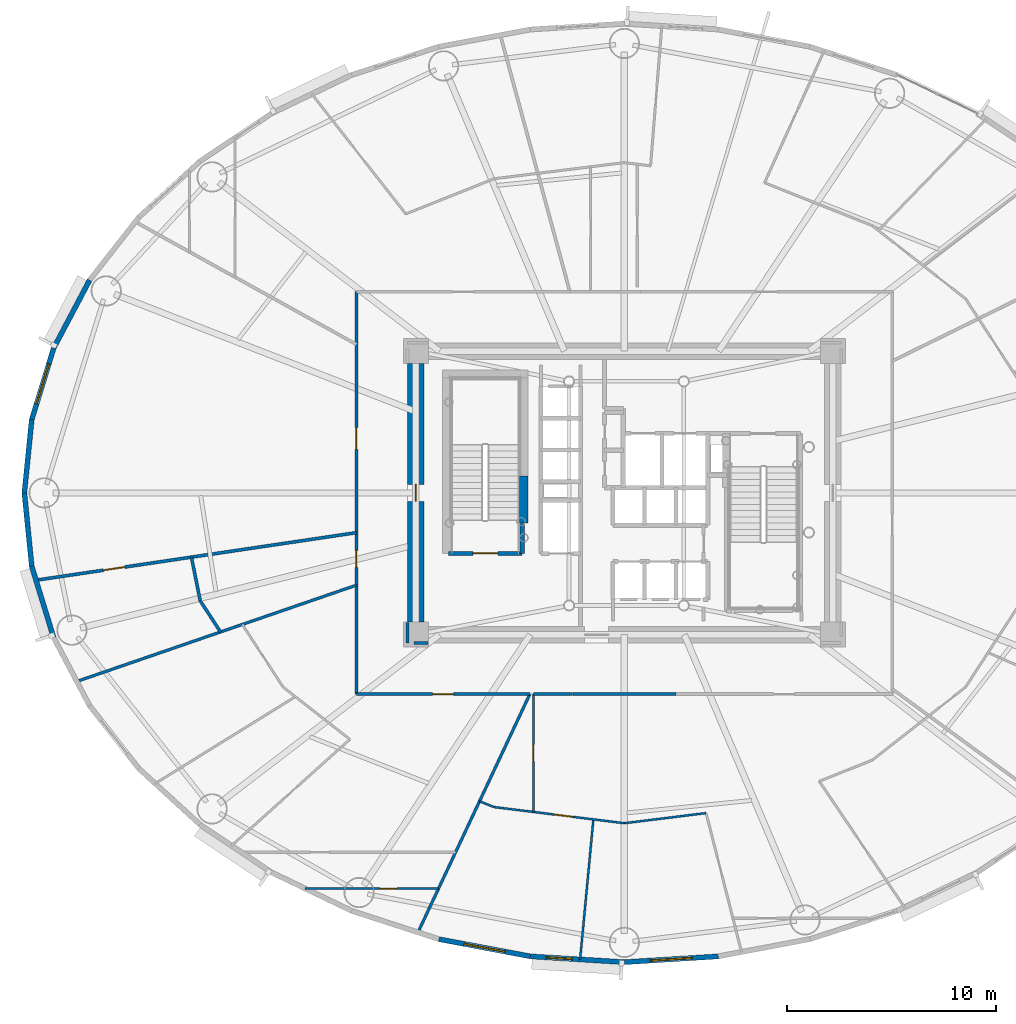
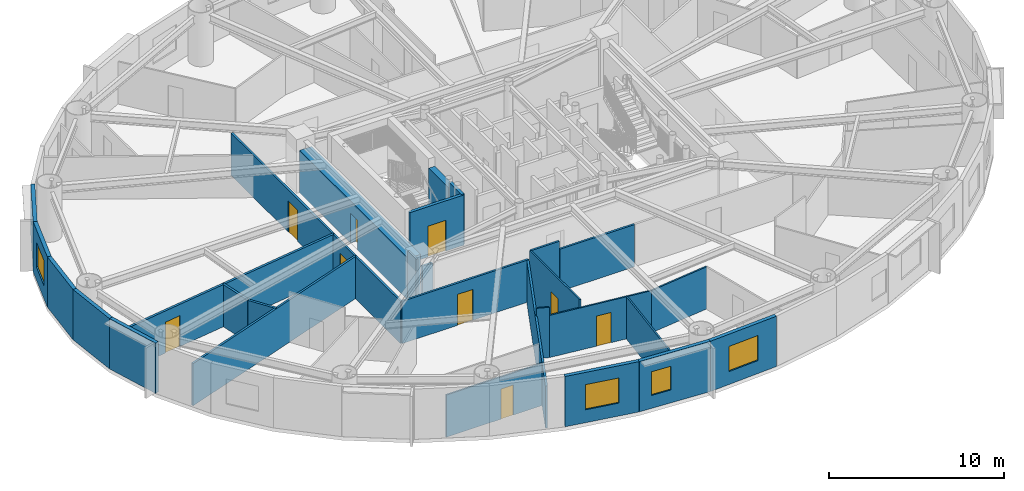
# One storey, part 7 of 16: 29 walls, 9 doors, 4 windows, 13 openings.
"""IFC4 building model written with IfcOpenShell, lengths in metres."""

from ifc_helpers import new_model, si_unit, direction, frame, frame_2d, origin, origin_2d, place, context, subcontext, project, spatial, rectangle, extrude, source, transform, mapped, material, layer, layer_set, type_object, element, fill, save


model = new_model("IFC4")

# Units and contexts
model_context = context("Model", 3, precision=1e-05, world=origin(), true_north=direction((0.0, 1.0)))
body_context = subcontext(model_context, "Body", "Model", "MODEL_VIEW")
ifc_project = project(units=[si_unit("LENGTHUNIT", "METRE"), si_unit("AREAUNIT", "SQUARE_METRE"), si_unit("VOLUMEUNIT", "CUBIC_METRE"), si_unit("PLANEANGLEUNIT", "RADIAN"), si_unit("MASSUNIT", "GRAM", prefix="KILO")], contexts=[model_context])

# Site, building, storey
site_placement = place(None, origin())
site = spatial("IfcSite", under=ifc_project, at=site_placement, CompositionType="ELEMENT")
building_placement = place(site_placement, origin())
building = spatial("IfcBuilding", under=site, at=building_placement, Name="Linh Dai School and Residence Tower", CompositionType="ELEMENT")
storey_placement = place(building_placement, frame((0.0, 0.0, 138.449951171875)))
storey = spatial("IfcBuildingStorey", under=building, at=storey_placement, Name="L33", CompositionType="ELEMENT", Elevation=138.449951171875)

# Wall
ifc_material_1 = material(Name="Precast Concrete B45 (C35/45)", Category="concrete")
ifc_layer_1 = layer(ifc_material_1, 0.239990234375)
ifc_layer_set_1 = layer_set([ifc_layer_1], Name="Precast Concrete B45 (C35/45)")
wall_type_1 = type_object("IfcWallType", Name="EW-TC-240", PredefinedType="SOLIDWALL", material=ifc_layer_set_1)
wall_1_placement = place(storey_placement, frame((8.6298828125, 33.945068359375, 0.0), z_axis=(0.0, 0.0, 1.0), x_axis=(0.467614004126, 0.883932770716, 0.0)))
element("IfcWall", 1, at=wall_1_placement, inside=storey, type_object=wall_type_1, Name="L33 Terracotta Exterior Wall 18", PredefinedType="SOLIDWALL", context=body_context, shape_type="SweptSolid", body=[
    extrude(rectangle(XDim=3.688720703125, YDim=0.239990234375, at=frame_2d((1.84423828125, 0.0))), origin(), (0.0, 0.0, 1.0), 3.5),
])

# Wall, opening, window
wall_2_placement = place(storey_placement, frame((7.578369140625, 30.515380859375, 0.0), z_axis=(0.0, 0.0, 1.0), x_axis=(0.293124431344, 0.956074300329, 0.0)))
wall_2 = element("IfcWall", 2, at=wall_2_placement, inside=storey, type_object=wall_type_1, Name="L33 Terracotta Exterior Wall 19", PredefinedType="SOLIDWALL", context=body_context, shape_type="SweptSolid", body=[
    extrude(rectangle(XDim=3.587158203125, YDim=0.239990234375, at=frame_2d((1.79345703125, 0.0))), origin(), (0.0, 0.0, 1.0), 3.5),
])
opening_1_placement = place(wall_2_placement, frame((0.793701171875, 0.0, 0.89990234375)))
opening_1 = element("IfcOpeningElement", 3, at=opening_1_placement, cuts=wall_2, Name="Opening W1", PredefinedType="OPENING", context=body_context, shape_type="SweptSolid", body=[
    extrude(rectangle(XDim=2.0, YDim=1.75, at=origin_2d()), frame((1.0, 0.1298828125, 0.875), z_axis=(0.0, -1.0, 0.0), x_axis=(1.0, 0.0, 0.0)), (0.0, 0.0, 1.0), 0.260009765625),
])
ifc_material_2 = material(Name="Double Low-E Insulated Glazing", Category="glass")
window_type_1 = type_object("IfcWindowType", Name="WN-RES-2000x1750", PartitioningType="DOUBLE_PANEL_VERTICAL", PredefinedType="WINDOW", material=ifc_material_2)
shared_shape_1 = source(origin(), body_context, "Body", "SweptSolid", [
    extrude(rectangle(XDim=2.0, YDim=1.75, at=origin_2d()), frame((1.0, 0.030029296875, 0.875), z_axis=(0.0, -1.0, 0.0), x_axis=(1.0, 0.0, 0.0)), (0.0, 0.0, 1.0), 0.06005859375),
])
window_1_placement = place(opening_1_placement, origin())
window_1 = element("IfcWindow", 4, at=window_1_placement, inside=storey, type_object=window_type_1, Name="L33 Exterior Window 19.1", OverallHeight=1.75, OverallWidth=2.0, PartitioningType="DOUBLE_PANEL_VERTICAL", PredefinedType="WINDOW", context=body_context, shape_type="MappedRepresentation", body=[
    mapped(shared_shape_1, transform((0.0, 0.0, 0.0), x_axis=(1.0, 0.0, 0.0), y_axis=(0.0, 1.0, 0.0), z_axis=(0.0, 0.0, 1.0), scale=1.0)),
])
fill(opening_1, window_1)

# Walls
for number, where, z_axis, x_axis, name in (
    (5, (7.22509765625, 27.0, 0.0), (0.0, 0.0, 1.0), (0.099989468229, 0.994988495533, 0.0), "L33 Terracotta Exterior Wall 20"),
    (6, (7.578369140625, 23.484619140625, 0.0), (0.0, 0.0, 1.0), (-0.099989468229, 0.994988495533, 0.0), "L33 Terracotta Exterior Wall 21"),
):
    element("IfcWall", number, at=place(storey_placement, frame(where, z_axis=z_axis, x_axis=x_axis)), inside=storey, type_object=wall_type_1, Name=name, PredefinedType="SOLIDWALL", context=body_context, shape_type="SweptSolid", body=[
        extrude(rectangle(XDim=3.533203125, YDim=0.239990234375, at=frame_2d((1.7666015625, 0.0))), origin(), (0.0, 0.0, 1.0), 3.5),
    ])
wall_3_placement = place(storey_placement, frame((8.6298828125, 20.054931640625, 0.0), z_axis=(0.0, 0.0, 1.0), x_axis=(-0.293124431344, 0.956074300329, 0.0)))
element("IfcWall", 7, at=wall_3_placement, inside=storey, type_object=wall_type_1, Name="L33 Terracotta Exterior Wall 22", PredefinedType="SOLIDWALL", context=body_context, shape_type="SweptSolid", body=[
    extrude(rectangle(XDim=3.587158203125, YDim=0.239990234375, at=frame_2d((1.79345703125, 0.0))), origin(), (0.0, 0.0, 1.0), 3.5),
])

# Wall, opening, window
wall_4_placement = place(storey_placement, frame((31.494384765625, 4.772705078125, 0.0), z_axis=(0.0, 0.0, 1.0), x_axis=(-0.982789252177, 0.184730305596, 0.0)))
wall_4 = element("IfcWall", 8, at=wall_4_placement, inside=storey, type_object=wall_type_1, Name="L33 Terracotta Exterior Wall 29", PredefinedType="SOLIDWALL", context=body_context, shape_type="SweptSolid", body=[
    extrude(rectangle(XDim=4.470947265625, YDim=0.239990234375, at=frame_2d((2.2353515625, 0.0))), origin(), (0.0, 0.0, 1.0), 3.5),
])
opening_2_placement = place(wall_4_placement, frame((1.235595703125, 0.0, 0.89990234375)))
opening_2 = element("IfcOpeningElement", 9, at=opening_2_placement, cuts=wall_4, Name="Opening W1", PredefinedType="OPENING", context=body_context, shape_type="SweptSolid", body=[
    extrude(rectangle(XDim=2.0, YDim=1.75, at=origin_2d()), frame((1.0, 0.1298828125, 0.875), z_axis=(0.0, -1.0, 0.0), x_axis=(1.0, 0.0, 0.0)), (0.0, 0.0, 1.0), 0.260009765625),
])
window_2_placement = place(opening_2_placement, origin())
window_2 = element("IfcWindow", 10, at=window_2_placement, inside=storey, type_object=window_type_1, Name="L33 Exterior Window 29.1", OverallHeight=1.75, OverallWidth=2.0, PartitioningType="DOUBLE_PANEL_VERTICAL", PredefinedType="WINDOW", context=body_context, shape_type="MappedRepresentation", body=[
    mapped(shared_shape_1, transform((0.0, 0.0, 0.0), x_axis=(1.0, 0.0, 0.0), y_axis=(0.0, 1.0, 0.0), z_axis=(0.0, 0.0, 1.0), scale=1.0)),
])
fill(opening_2, window_2)

wall_5_placement = place(storey_placement, frame((36.0, 4.4951171875, 0.0), z_axis=(0.0, 0.0, 1.0), x_axis=(-0.998107531589, 0.061492726276, 0.0)))
wall_5 = element("IfcWall", 11, at=wall_5_placement, inside=storey, type_object=wall_type_1, Name="L33 Terracotta Exterior Wall 30", PredefinedType="SOLIDWALL", context=body_context, shape_type="SweptSolid", body=[
    extrude(rectangle(XDim=4.51416015625, YDim=0.239990234375, at=frame_2d((2.257080078125, 0.0))), origin(), (0.0, 0.0, 1.0), 3.5),
])
opening_3_placement = place(wall_5_placement, frame((2.498779296875, 0.0, 0.89990234375)))
opening_3 = element("IfcOpeningElement", 12, at=opening_3_placement, cuts=wall_5, Name="Opening W3", PredefinedType="OPENING", context=body_context, shape_type="SweptSolid", body=[
    extrude(rectangle(XDim=1.25, YDim=1.64990234375, at=origin_2d()), frame((0.625, 0.1298828125, 0.824951171875), z_axis=(0.0, -1.0, 0.0), x_axis=(1.0, 0.0, 0.0)), (0.0, 0.0, 1.0), 0.260009765625),
])
window_type_2 = type_object("IfcWindowType", Name="WN-RES-1250x1650", PartitioningType="SINGLE_PANEL", PredefinedType="WINDOW", material=ifc_material_2)
shared_shape_2 = source(origin(), body_context, "Body", "SweptSolid", [
    extrude(rectangle(XDim=1.25, YDim=1.64990234375, at=origin_2d()), frame((0.625, 0.030029296875, 0.824951171875), z_axis=(0.0, -1.0, 0.0), x_axis=(1.0, 0.0, 0.0)), (0.0, 0.0, 1.0), 0.06005859375),
])
window_3_placement = place(opening_3_placement, origin())
window_3 = element("IfcWindow", 13, at=window_3_placement, inside=storey, type_object=window_type_2, Name="L33 Exterior Window 30.1", OverallHeight=1.64990234375, OverallWidth=1.25, PartitioningType="SINGLE_PANEL", PredefinedType="WINDOW", context=body_context, shape_type="MappedRepresentation", body=[
    mapped(shared_shape_2, transform((0.0, 0.0, 0.0), x_axis=(1.0, 0.0, 0.0), y_axis=(0.0, 1.0, 0.0), z_axis=(0.0, 0.0, 1.0), scale=1.0)),
])
fill(opening_3, window_3)

wall_6_placement = place(storey_placement, frame((40.505615234375, 4.772705078125, 0.0), z_axis=(0.0, 0.0, 1.0), x_axis=(-0.998107531589, -0.061492726276, 0.0)))
wall_6 = element("IfcWall", 14, at=wall_6_placement, inside=storey, type_object=wall_type_1, Name="L33 Terracotta Exterior Wall 31", PredefinedType="SOLIDWALL", context=body_context, shape_type="SweptSolid", body=[
    extrude(rectangle(XDim=4.51416015625, YDim=0.239990234375, at=frame_2d((2.257080078125, 0.0))), origin(), (0.0, 0.0, 1.0), 3.5),
])
opening_4_placement = place(wall_6_placement, frame((1.257080078125, 0.0, 0.89990234375)))
opening_4 = element("IfcOpeningElement", 15, at=opening_4_placement, cuts=wall_6, Name="Opening W1", PredefinedType="OPENING", context=body_context, shape_type="SweptSolid", body=[
    extrude(rectangle(XDim=2.0, YDim=1.75, at=origin_2d()), frame((1.0, 0.1298828125, 0.875), z_axis=(0.0, -1.0, 0.0), x_axis=(1.0, 0.0, 0.0)), (0.0, 0.0, 1.0), 0.260009765625),
])
window_4_placement = place(opening_4_placement, origin())
window_4 = element("IfcWindow", 16, at=window_4_placement, inside=storey, type_object=window_type_1, Name="L33 Exterior Window 31.1", OverallHeight=1.75, OverallWidth=2.0, PartitioningType="DOUBLE_PANEL_VERTICAL", PredefinedType="WINDOW", context=body_context, shape_type="MappedRepresentation", body=[
    mapped(shared_shape_1, transform((0.0, 0.0, 0.0), x_axis=(1.0, 0.0, 0.0), y_axis=(0.0, 1.0, 0.0), z_axis=(0.0, 0.0, 1.0), scale=1.0)),
])
fill(opening_4, window_4)

# Wall
ifc_material_3 = material(Name="Autoclaved Aerated Concrete Blockwork", Category="masonry")
ifc_layer_2 = layer(ifc_material_3, 0.135009765625)
ifc_layer_set_2 = layer_set([ifc_layer_2], Name="Autoclaved Aerated Concrete Blockwork")
wall_type_2 = type_object("IfcWallType", Name="IW-CORR-135-EI90", PredefinedType="PARTITIONING", material=ifc_layer_set_2)
wall_7_placement = place(storey_placement, frame((9.734619140625, 17.9560546875, 0.0), z_axis=(0.0, 0.0, 1.0), x_axis=(0.945515704768, 0.325576491836, 0.0)))
element("IfcWall", 17, at=wall_7_placement, inside=storey, type_object=wall_type_2, Name="L33 Interior Partition Wall 002", PredefinedType="PARTITIONING", context=body_context, shape_type="SweptSolid", body=[
    extrude(rectangle(XDim=14.188232421875, YDim=0.135009765625, at=frame_2d((7.09423828125, 0.0))), origin(), (0.0, 0.0, 1.0), 2.93505859375),
])

# Wall, openings, doors
wall_8_placement = place(storey_placement, frame((23.14990234375, 17.35009765625, 0.0), z_axis=(0.0, 0.0, 1.0), x_axis=(0.0, 1.0, 0.0)))
wall_8 = element("IfcWall", 18, at=wall_8_placement, inside=storey, type_object=wall_type_2, Name="L33 Interior Partition Wall 015", PredefinedType="PARTITIONING", context=body_context, shape_type="SweptSolid", body=[
    extrude(rectangle(XDim=19.2998046875, YDim=0.135009765625, at=frame_2d((9.64990234375, 0.0))), origin(), (0.0, 0.0, 1.0), 2.93505859375),
])
opening_5_placement = place(wall_8_placement, frame((11.733154296875, 0.0, 0.0)))
opening_5 = element("IfcOpeningElement", 19, at=opening_5_placement, cuts=wall_8, Name="Opening D04", PredefinedType="OPENING", context=body_context, shape_type="SweptSolid", body=[
    extrude(rectangle(XDim=1.050048828125, YDim=2.14990234375, at=origin_2d()), frame((0.52490234375, 0.07763671875, 1.074951171875), z_axis=(0.0, -1.0, 0.0), x_axis=(1.0, 0.0, 0.0)), (0.0, 0.0, 1.0), 0.155029296875),
])
opening_6_placement = place(wall_8_placement, frame((6.07421875, 0.0, 0.0)))
opening_6 = element("IfcOpeningElement", 20, at=opening_6_placement, cuts=wall_8, Name="Opening D06", PredefinedType="OPENING", context=body_context, shape_type="SweptSolid", body=[
    extrude(rectangle(XDim=0.820068359375, YDim=2.10009765625, at=origin_2d()), frame((0.41015625, 0.07763671875, 1.050048828125), z_axis=(0.0, -1.0, 0.0), x_axis=(1.0, 0.0, 0.0)), (0.0, 0.0, 1.0), 0.155029296875),
])
ifc_material_4 = material(Name="Acoustic Vision-Panel Timber Classroom Door", Category="wood")
door_type_1 = type_object("IfcDoorType", Name="DR-SCH-1050x2150-FD60S", OperationType="NOTDEFINED", PredefinedType="DOOR", material=ifc_material_4)
shared_shape_3 = source(origin(), body_context, "Body", "SweptSolid", [
    extrude(rectangle(XDim=1.050048828125, YDim=2.14990234375, at=origin_2d()), frame((0.52490234375, 0.02490234375, 1.074951171875), z_axis=(0.0, -1.0, 0.0), x_axis=(1.0, 0.0, 0.0)), (0.0, 0.0, 1.0), 0.050048828125),
])
door_1_placement = place(opening_5_placement, origin())
door_1 = element("IfcDoor", 21, at=door_1_placement, inside=storey, type_object=door_type_1, Name="L33 Fitness and Yoga Room Door", OperationType="SINGLE_SWING_LEFT", OverallHeight=2.14990234375, OverallWidth=1.050048828125, PredefinedType="DOOR", context=body_context, shape_type="MappedRepresentation", body=[
    mapped(shared_shape_3, transform((0.0, 0.0, 0.0), x_axis=(1.0, 0.0, 0.0), y_axis=(0.0, 1.0, 0.0), z_axis=(0.0, 0.0, 1.0), scale=1.0)),
])
fill(opening_5, door_1)
ifc_material_5 = material(Name="Moisture-Resistant Timber Bathroom Door", Category="wood")
door_type_2 = type_object("IfcDoorType", Name="DR-WET-820x2100", OperationType="NOTDEFINED", PredefinedType="DOOR", material=ifc_material_5)
shared_shape_4 = source(origin(), body_context, "Body", "SweptSolid", [
    extrude(rectangle(XDim=0.820068359375, YDim=2.10009765625, at=origin_2d()), frame((0.41015625, 0.02490234375, 1.050048828125), z_axis=(0.0, -1.0, 0.0), x_axis=(1.0, 0.0, 0.0)), (0.0, 0.0, 1.0), 0.050048828125),
])
door_2_placement = place(opening_6_placement, origin())
door_2 = element("IfcDoor", 22, at=door_2_placement, inside=storey, type_object=door_type_2, Name="L33 Amenity Accessible WC Door", OperationType="SINGLE_SWING_RIGHT", OverallHeight=2.10009765625, OverallWidth=0.820068359375, PredefinedType="DOOR", context=body_context, shape_type="MappedRepresentation", body=[
    mapped(shared_shape_4, transform((0.0, 0.0, 0.0), x_axis=(1.0, 0.0, 0.0), y_axis=(0.0, 1.0, 0.0), z_axis=(0.0, 0.0, 1.0), scale=1.0)),
])
fill(opening_6, door_2)

# Wall, opening, door
wall_9_placement = place(storey_placement, frame((23.14990234375, 17.35009765625, 0.0), z_axis=(0.0, 0.0, 1.0), x_axis=(1.0, 0.0, 0.0)))
wall_9 = element("IfcWall", 23, at=wall_9_placement, inside=storey, type_object=wall_type_2, Name="L33 Interior Partition Wall 016", PredefinedType="PARTITIONING", context=body_context, shape_type="SweptSolid", body=[
    extrude(rectangle(XDim=8.318359375, YDim=0.135009765625, at=frame_2d((4.1591796875, 0.0))), origin(), (0.0, 0.0, 1.0), 2.93505859375),
])
opening_7_placement = place(wall_9_placement, frame((3.6591796875, 0.0, 0.0)))
opening_7 = element("IfcOpeningElement", 24, at=opening_7_placement, cuts=wall_9, Name="Opening D03", PredefinedType="OPENING", context=body_context, shape_type="SweptSolid", body=[
    extrude(rectangle(XDim=1.0, YDim=2.14990234375, at=origin_2d()), frame((0.5, 0.07763671875, 1.074951171875), z_axis=(0.0, -1.0, 0.0), x_axis=(1.0, 0.0, 0.0)), (0.0, 0.0, 1.0), 0.155029296875),
])
ifc_material_6 = material(Name="Fire-Rated Solid Timber Entrance Door", Category="wood")
door_type_3 = type_object("IfcDoorType", Name="DR-FLAT-1000x2150-FD60S", OperationType="NOTDEFINED", PredefinedType="DOOR", material=ifc_material_6)
shared_shape_5 = source(origin(), body_context, "Body", "SweptSolid", [
    extrude(rectangle(XDim=1.0, YDim=2.14990234375, at=origin_2d()), frame((0.5, 0.02490234375, 1.074951171875), z_axis=(0.0, -1.0, 0.0), x_axis=(1.0, 0.0, 0.0)), (0.0, 0.0, 1.0), 0.050048828125),
])
door_3_placement = place(opening_7_placement, origin())
door_3 = element("IfcDoor", 25, at=door_3_placement, inside=storey, type_object=door_type_3, Name="L33 U3301 Apartment Entrance Door", OperationType="SINGLE_SWING_LEFT", OverallHeight=2.14990234375, OverallWidth=1.0, PredefinedType="DOOR", context=body_context, shape_type="MappedRepresentation", body=[
    mapped(shared_shape_5, transform((0.0, 0.0, 0.0), x_axis=(1.0, 0.0, 0.0), y_axis=(0.0, 1.0, 0.0), z_axis=(0.0, 0.0, 1.0), scale=1.0)),
])
fill(opening_7, door_3)

# Walls
wall_10_placement = place(storey_placement, frame((26.099609375, 5.91796875, 0.0), z_axis=(0.0, 0.0, 1.0), x_axis=(0.425072644526, 0.905159238408, 0.0)))
element("IfcWall", 26, at=wall_10_placement, inside=storey, type_object=wall_type_2, Name="L33 Interior Partition Wall 019", PredefinedType="PARTITIONING", context=body_context, shape_type="SweptSolid", body=[
    extrude(rectangle(XDim=12.6298828125, YDim=0.135009765625, at=frame_2d((6.31494140625, 0.0))), origin(), (0.0, 0.0, 1.0), 2.93505859375),
])
wall_11_placement = place(storey_placement, frame((31.64111328125, 17.35009765625, 0.0), z_axis=(0.0, 0.0, 1.0), x_axis=(1.0, 0.0, 0.0)))
element("IfcWall", 27, at=wall_11_placement, inside=storey, type_object=wall_type_2, Name="L33 Interior Partition Wall 027", PredefinedType="PARTITIONING", context=body_context, shape_type="SweptSolid", body=[
    extrude(rectangle(XDim=1.8818359375, YDim=0.135009765625, at=frame_2d((0.94091796875, 0.0))), origin(), (0.0, 0.0, 1.0), 3.5),
])
wall_12_placement = place(storey_placement, frame((38.467041015625, 17.35009765625, 0.0), z_axis=(0.0, 0.0, 1.0), x_axis=(-1.0, 0.0, 0.0)))
element("IfcWall", 28, at=wall_12_placement, inside=storey, type_object=wall_type_2, Name="L33 Interior Partition Wall 101", PredefinedType="PARTITIONING", context=body_context, shape_type="SweptSolid", body=[
    extrude(rectangle(XDim=4.93408203125, YDim=0.135009765625, at=frame_2d((2.467041015625, 0.0))), origin(), (0.0, 0.0, 1.0), 2.93505859375),
])
wall_13_placement = place(storey_placement, frame((25.60009765625, 20.7900390625, 0.0), z_axis=(0.0, 0.0, 1.0), x_axis=(0.0, -1.0, 0.0)))
element("IfcWall", 29, at=wall_13_placement, inside=storey, type_object=wall_type_2, Name="L33 Interior Partition Wall 105", PredefinedType="PARTITIONING", context=body_context, shape_type="SweptSolid", body=[
    extrude(rectangle(XDim=0.989990234375, YDim=0.135009765625, at=frame_2d((0.4951171875, 0.0))), origin(), (0.0, 0.0, 1.0), 3.5),
])
wall_14_placement = place(storey_placement, frame((25.907470703125, 19.800048828125, 0.0), z_axis=(0.0, 0.0, 1.0), x_axis=(1.0, 0.0, 0.0)))
element("IfcWall", 30, at=wall_14_placement, inside=storey, type_object=wall_type_2, Name="L33 Interior Partition Wall 106", PredefinedType="PARTITIONING", context=body_context, shape_type="SweptSolid", body=[
    extrude(rectangle(XDim=0.6826171875, YDim=0.135009765625, at=frame_2d((0.34130859375, 0.0))), origin(), (0.0, 0.0, 1.0), 2.93505859375),
])

# Wall, opening, door
ifc_layer_3 = layer(ifc_material_3, 0.14990234375)
ifc_layer_set_3 = layer_set([ifc_layer_3], Name="Autoclaved Aerated Concrete Blockwork")
wall_type_3 = type_object("IfcWallType", Name="IW-SCH-150-EI60", PredefinedType="PARTITIONING", material=ifc_layer_set_3)
wall_15_placement = place(storey_placement, frame((7.779296875, 22.8125, 0.0), z_axis=(0.0, 0.0, 1.0), x_axis=(0.989169524168, 0.146777561148, 0.0)))
wall_15 = element("IfcWall", 31, at=wall_15_placement, inside=storey, type_object=wall_type_3, Name="L33 Interior Partition Wall 001", PredefinedType="PARTITIONING", context=body_context, shape_type="SweptSolid", body=[
    extrude(rectangle(XDim=15.538818359375, YDim=0.14990234375, at=frame_2d((7.76953125, 0.0))), origin(), (0.0, 0.0, 1.0), 2.93505859375),
])
opening_8_placement = place(wall_15_placement, frame((3.264892578125, 0.0, 0.0)))
opening_8 = element("IfcOpeningElement", 32, at=opening_8_placement, cuts=wall_15, Name="Opening D04", PredefinedType="OPENING", context=body_context, shape_type="SweptSolid", body=[
    extrude(rectangle(XDim=1.050048828125, YDim=2.14990234375, at=origin_2d()), frame((0.52490234375, 0.0849609375, 1.074951171875), z_axis=(0.0, -1.0, 0.0), x_axis=(1.0, 0.0, 0.0)), (0.0, 0.0, 1.0), 0.169921875),
])
door_4_placement = place(opening_8_placement, origin())
door_4 = element("IfcDoor", 33, at=door_4_placement, inside=storey, type_object=door_type_1, Name="L33 Amenity Tea Salon Door", OperationType="SINGLE_SWING_LEFT", OverallHeight=2.14990234375, OverallWidth=1.050048828125, PredefinedType="DOOR", context=body_context, shape_type="MappedRepresentation", body=[
    mapped(shared_shape_3, transform((0.0, 0.0, 0.0), x_axis=(1.0, 0.0, 0.0), y_axis=(0.0, 1.0, 0.0), z_axis=(0.0, 0.0, 1.0), scale=1.0)),
])
fill(opening_8, door_4)

# Walls
wall_16_placement = place(storey_placement, frame((15.237060546875, 23.919189453125, 0.0), z_axis=(0.0, 0.0, 1.0), x_axis=(0.198269330309, -0.98014757698, 0.0)))
element("IfcWall", 34, at=wall_16_placement, inside=storey, type_object=wall_type_3, Name="L33 Interior Partition Wall 006", PredefinedType="PARTITIONING", context=body_context, shape_type="SweptSolid", body=[
    extrude(rectangle(XDim=2.136474609375, YDim=0.14990234375, at=frame_2d((1.068359375, 0.0))), origin(), (0.0, 0.0, 1.0), 2.93505859375),
])
wall_17_placement = place(storey_placement, frame((15.66064453125, 21.8251953125, 0.0), z_axis=(0.0, 0.0, 1.0), x_axis=(0.54543603077, -0.838152454114, 0.0)))
element("IfcWall", 35, at=wall_17_placement, inside=storey, type_object=wall_type_3, Name="L33 Interior Partition Wall 007", PredefinedType="PARTITIONING", context=body_context, shape_type="SweptSolid", body=[
    extrude(rectangle(XDim=1.782470703125, YDim=0.14990234375, at=frame_2d((0.89111328125, 0.0))), origin(), (0.0, 0.0, 1.0), 2.93505859375),
])

# Wall, opening, door
ifc_material_7 = material(Name="Concrete B45 (C35/45)", Category="concrete")
ifc_layer_4 = layer(ifc_material_7, 0.199951171875)
ifc_layer_set_4 = layer_set([ifc_layer_4], Name="Concrete B45 (C35/45)")
wall_type_4 = type_object("IfcWallType", Name="IW-SHAFT-200-EI120", PredefinedType="PARTITIONING", material=ifc_layer_set_4)
wall_18_placement = place(storey_placement, frame((27.56005859375, 24.10009765625, 0.0), z_axis=(0.0, 0.0, 1.0), x_axis=(1.0, 0.0, 0.0)))
wall_18 = element("IfcWall", 36, at=wall_18_placement, inside=storey, type_object=wall_type_4, Name="L33 Interior Partition Wall 020", PredefinedType="PARTITIONING", context=body_context, shape_type="SweptSolid", body=[
    extrude(rectangle(XDim=3.5400390625, YDim=0.199951171875, at=frame_2d((1.77001953125, 0.0))), origin(), (0.0, 0.0, 1.0), 3.5),
])
opening_9_placement = place(wall_18_placement, frame((1.169921875, 0.0, 0.0)))
opening_9 = element("IfcOpeningElement", 37, at=opening_9_placement, cuts=wall_18, Name="Opening D01", PredefinedType="OPENING", context=body_context, shape_type="SweptSolid", body=[
    extrude(rectangle(XDim=1.199951171875, YDim=2.14990234375, at=origin_2d()), frame((0.60009765625, 0.10986328125, 1.074951171875), z_axis=(0.0, -1.0, 0.0), x_axis=(1.0, 0.0, 0.0)), (0.0, 0.0, 1.0), 0.219970703125),
])
ifc_material_8 = material(Name="Fire-Rated Steel Door Leaf", Category="steel")
door_type_4 = type_object("IfcDoorType", Name="DR-STAIR-1200x2150-FD90S", OperationType="NOTDEFINED", PredefinedType="DOOR", material=ifc_material_8)
shared_shape_6 = source(origin(), body_context, "Body", "SweptSolid", [
    extrude(rectangle(XDim=1.199951171875, YDim=2.14990234375, at=origin_2d()), frame((0.60009765625, 0.02490234375, 1.074951171875), z_axis=(0.0, -1.0, 0.0), x_axis=(1.0, 0.0, 0.0)), (0.0, 0.0, 1.0), 0.050048828125),
])
door_5_placement = place(opening_9_placement, origin())
door_5 = element("IfcDoor", 38, at=door_5_placement, inside=storey, type_object=door_type_4, Name="L33 Core Smokeproof Exit Stair ST1 Door", OperationType="SINGLE_SWING_LEFT", OverallHeight=2.14990234375, OverallWidth=1.199951171875, PredefinedType="DOOR", context=body_context, shape_type="MappedRepresentation", body=[
    mapped(shared_shape_6, transform((0.0, 0.0, 0.0), x_axis=(1.0, 0.0, 0.0), y_axis=(0.0, 1.0, 0.0), z_axis=(0.0, 0.0, 1.0), scale=1.0)),
])
fill(opening_9, door_5)

# Wall
wall_19_placement = place(storey_placement, frame((31.10009765625, 24.10009765625, 0.0), z_axis=(0.0, 0.0, 1.0), x_axis=(0.0, 1.0, 0.0)))
element("IfcWall", 39, at=wall_19_placement, inside=storey, type_object=wall_type_4, Name="L33 Interior Partition Wall 025", PredefinedType="PARTITIONING", context=body_context, shape_type="SweptSolid", body=[
    extrude(rectangle(XDim=1.43994140625, YDim=0.199951171875, at=frame_2d((0.719970703125, 0.0))), origin(), (0.0, 0.0, 1.0), 3.5),
])

# Wall, opening, door
ifc_material_9 = material(Name="Gypsum Plasterboard Acoustic Stud Partition", Category="masonry")
ifc_layer_5 = layer(ifc_material_9, 0.10009765625)
ifc_layer_set_5 = layer_set([ifc_layer_5], Name="Gypsum Plasterboard Acoustic Stud Partition")
wall_type_5 = type_object("IfcWallType", Name="IW-UNIT-100", PredefinedType="PARTITIONING", material=ifc_layer_set_5)
wall_20_placement = place(storey_placement, frame((20.68798828125, 8.02099609375, 0.0), z_axis=(0.0, 0.0, 1.0), x_axis=(1.0, 0.0, 0.0)))
wall_20 = element("IfcWall", 40, at=wall_20_placement, inside=storey, type_object=wall_type_5, Name="L33 Interior Partition Wall 013", PredefinedType="PARTITIONING", context=body_context, shape_type="SweptSolid", body=[
    extrude(rectangle(XDim=6.3994140625, YDim=0.10009765625, at=frame_2d((3.19970703125, 0.0))), origin(), (0.0, 0.0, 1.0), 2.93505859375),
])
opening_10_placement = place(wall_20_placement, frame((3.590576171875, 0.0, 0.0)))
opening_10 = element("IfcOpeningElement", 41, at=opening_10_placement, cuts=wall_20, Name="Opening D06", PredefinedType="OPENING", context=body_context, shape_type="SweptSolid", body=[
    extrude(rectangle(XDim=0.820068359375, YDim=2.10009765625, at=origin_2d()), frame((0.41015625, 0.06005859375, 1.050048828125), z_axis=(0.0, -1.0, 0.0), x_axis=(1.0, 0.0, 0.0)), (0.0, 0.0, 1.0), 0.1201171875),
])
door_6_placement = place(opening_10_placement, origin())
door_6 = element("IfcDoor", 42, at=door_6_placement, inside=storey, type_object=door_type_2, Name="L33 Apartment U3301 Bathroom 1 Door", OperationType="SINGLE_SWING_LEFT", OverallHeight=2.10009765625, OverallWidth=0.820068359375, PredefinedType="DOOR", context=body_context, shape_type="MappedRepresentation", body=[
    mapped(shared_shape_4, transform((0.0, 0.0, 0.0), x_axis=(1.0, 0.0, 0.0), y_axis=(0.0, 1.0, 0.0), z_axis=(0.0, 0.0, 1.0), scale=1.0)),
])
fill(opening_10, door_6)

# Wall
wall_21_placement = place(storey_placement, frame((29.054931640625, 12.2109375, 0.0), z_axis=(0.0, 0.0, 1.0), x_axis=(0.928859514795, -0.370432182423, 0.0)))
element("IfcWall", 43, at=wall_21_placement, inside=storey, type_object=wall_type_5, Name="L33 Interior Partition Wall 021", PredefinedType="PARTITIONING", context=body_context, shape_type="SweptSolid", body=[
    extrude(rectangle(XDim=0.746826171875, YDim=0.10009765625, at=frame_2d((0.37353515625, 0.0))), origin(), (0.0, 0.0, 1.0), 3.5),
])

# Wall, opening, door
wall_22_placement = place(storey_placement, frame((29.74853515625, 11.934326171875, 0.0), z_axis=(0.0, 0.0, 1.0), x_axis=(0.992395485088, -0.123090215599, 0.0)))
wall_22 = element("IfcWall", 44, at=wall_22_placement, inside=storey, type_object=wall_type_5, Name="L33 Interior Partition Wall 022", PredefinedType="PARTITIONING", context=body_context, shape_type="SweptSolid", body=[
    extrude(rectangle(XDim=6.29931640625, YDim=0.10009765625, at=frame_2d((3.149658203125, 0.0))), origin(), (0.0, 0.0, 1.0), 2.93505859375),
])
opening_11_placement = place(wall_22_placement, frame((2.9052734375, 0.0, 0.0)))
opening_11 = element("IfcOpeningElement", 45, at=opening_11_placement, cuts=wall_22, Name="Opening D05", PredefinedType="OPENING", context=body_context, shape_type="SweptSolid", body=[
    extrude(rectangle(XDim=0.89990234375, YDim=2.10009765625, at=origin_2d()), frame((0.449951171875, 0.06005859375, 1.050048828125), z_axis=(0.0, -1.0, 0.0), x_axis=(1.0, 0.0, 0.0)), (0.0, 0.0, 1.0), 0.1201171875),
])
ifc_material_10 = material(Name="Engineered Timber Internal Door", Category="wood")
door_type_5 = type_object("IfcDoorType", Name="DR-INT-900x2100", OperationType="NOTDEFINED", PredefinedType="DOOR", material=ifc_material_10)
shared_shape_7 = source(origin(), body_context, "Body", "SweptSolid", [
    extrude(rectangle(XDim=0.89990234375, YDim=2.10009765625, at=origin_2d()), frame((0.449951171875, 0.02490234375, 1.050048828125), z_axis=(0.0, -1.0, 0.0), x_axis=(1.0, 0.0, 0.0)), (0.0, 0.0, 1.0), 0.050048828125),
])
door_7_placement = place(opening_11_placement, origin())
door_7 = element("IfcDoor", 46, at=door_7_placement, inside=storey, type_object=door_type_5, Name="L33 Apartment U3302 Principal Bedroom 1 Door", OperationType="SINGLE_SWING_LEFT", OverallHeight=2.10009765625, OverallWidth=0.89990234375, PredefinedType="DOOR", context=body_context, shape_type="MappedRepresentation", body=[
    mapped(shared_shape_7, transform((0.0, 0.0, 0.0), x_axis=(1.0, 0.0, 0.0), y_axis=(0.0, 1.0, 0.0), z_axis=(0.0, 0.0, 1.0), scale=1.0)),
])
fill(opening_11, door_7)

wall_23_placement = place(storey_placement, frame((31.64111328125, 11.69970703125, 0.0), z_axis=(0.0, 0.0, 1.0), x_axis=(0.0, 1.0, 0.0)))
wall_23 = element("IfcWall", 47, at=wall_23_placement, inside=storey, type_object=wall_type_5, Name="L33 Interior Partition Wall 026", PredefinedType="PARTITIONING", context=body_context, shape_type="SweptSolid", body=[
    extrude(rectangle(XDim=5.650390625, YDim=0.10009765625, at=frame_2d((2.8251953125, 0.0))), origin(), (0.0, 0.0, 1.0), 3.5),
])
opening_12_placement = place(wall_23_placement, frame((2.415283203125, 0.0, 0.0)))
opening_12 = element("IfcOpeningElement", 48, at=opening_12_placement, cuts=wall_23, Name="Opening D06", PredefinedType="OPENING", context=body_context, shape_type="SweptSolid", body=[
    extrude(rectangle(XDim=0.820068359375, YDim=2.10009765625, at=origin_2d()), frame((0.41015625, 0.06005859375, 1.050048828125), z_axis=(0.0, -1.0, 0.0), x_axis=(1.0, 0.0, 0.0)), (0.0, 0.0, 1.0), 0.1201171875),
])
door_8_placement = place(opening_12_placement, origin())
door_8 = element("IfcDoor", 49, at=door_8_placement, inside=storey, type_object=door_type_2, Name="L33 Apartment U3302 Bathroom 1 Door", OperationType="SINGLE_SWING_RIGHT", OverallHeight=2.10009765625, OverallWidth=0.820068359375, PredefinedType="DOOR", context=body_context, shape_type="MappedRepresentation", body=[
    mapped(shared_shape_4, transform((0.0, 0.0, 0.0), x_axis=(1.0, 0.0, 0.0), y_axis=(0.0, 1.0, 0.0), z_axis=(0.0, 0.0, 1.0), scale=1.0)),
])
fill(opening_12, door_8)

# Walls
wall_24_placement = place(storey_placement, frame((33.878173828125, 4.620849609375, 0.0), z_axis=(0.0, 0.0, 1.0), x_axis=(0.094368865944, 0.995537300728, 0.0)))
element("IfcWall", 50, at=wall_24_placement, inside=storey, type_object=wall_type_5, Name="L33 Interior Partition Wall 034", PredefinedType="PARTITIONING", context=body_context, shape_type="SweptSolid", body=[
    extrude(rectangle(XDim=6.752197265625, YDim=0.10009765625, at=frame_2d((3.3759765625, 0.0))), origin(), (0.0, 0.0, 1.0), 2.93505859375),
])
wall_25_placement = place(storey_placement, frame((36.0, 11.158935546875, 0.0), z_axis=(0.0, 0.0, 1.0), x_axis=(0.992393437711, 0.123106721131, 0.0)))
element("IfcWall", 51, at=wall_25_placement, inside=storey, type_object=wall_type_5, Name="L33 Interior Partition Wall 049", PredefinedType="PARTITIONING", context=body_context, shape_type="SweptSolid", body=[
    extrude(rectangle(XDim=3.950439453125, YDim=0.10009765625, at=frame_2d((1.97509765625, 0.0))), origin(), (0.0, 0.0, 1.0), 2.93505859375),
])
ifc_layer_6 = layer(ifc_material_7, 0.39990234375)
ifc_layer_set_6 = layer_set([ifc_layer_6], Name="Concrete B45 (C35/45)")
wall_type_6 = type_object("IfcWallType", Name="WL-CORE400", PredefinedType="SHEAR", material=ifc_layer_set_6)
wall_26_placement = place(storey_placement, frame((31.179931640625, 25.550048828125, 0.0), z_axis=(0.0, 0.0, 1.0), x_axis=(0.0, 1.0, 0.0)))
element("IfcWall", 52, at=wall_26_placement, inside=storey, type_object=wall_type_6, Name="L33 Internal Core Shear Wall IW", PredefinedType="SHEAR", context=body_context, shape_type="SweptSolid", body=[
    extrude(rectangle(XDim=2.25, YDim=0.39990234375, at=frame_2d((1.125, 0.0))), origin(), (0.0, 0.0, 1.0), 3.10009765625),
])

# Wall, opening, door
ifc_material_11 = material(Name="Concrete B60 (C50/60)", Category="concrete")
ifc_layer_7 = layer(ifc_material_11, 0.800048828125)
ifc_layer_set_7 = layer_set([ifc_layer_7], Name="Concrete B60 (C50/60)")
wall_type_7 = type_object("IfcWallType", Name="WL-CORE800", PredefinedType="SHEAR", material=ifc_layer_set_7)
wall_27_placement = place(storey_placement, frame((26.0, 20.800048828125, 0.0), z_axis=(0.0, 0.0, 1.0), x_axis=(0.0, 1.0, 0.0)))
wall_27 = element("IfcWall", 53, at=wall_27_placement, inside=storey, type_object=wall_type_7, Name="L33 Central Core Shear Wall W", PredefinedType="SHEAR", context=body_context, shape_type="SweptSolid", body=[
    extrude(rectangle(XDim=12.39990234375, YDim=0.800048828125, at=frame_2d((6.199951171875, 0.0))), origin(), (0.0, 0.0, 1.0), 2.949951171875),
])
opening_13_placement = place(wall_27_placement, frame((5.7900390625, 0.0, 0.0)))
opening_13 = element("IfcOpeningElement", 54, at=opening_13_placement, cuts=wall_27, Name="Opening D06", PredefinedType="OPENING", context=body_context, shape_type="SweptSolid", body=[
    extrude(rectangle(XDim=0.820068359375, YDim=2.10009765625, at=origin_2d()), frame((0.41015625, 0.41015625, 1.050048828125), z_axis=(0.0, -1.0, 0.0), x_axis=(1.0, 0.0, 0.0)), (0.0, 0.0, 1.0), 0.820068359375),
])
door_9_placement = place(opening_13_placement, origin())
door_9 = element("IfcDoor", 55, at=door_9_placement, inside=storey, type_object=door_type_2, Name="L33 Firefighting Lobby Door", OperationType="SINGLE_SWING_RIGHT", OverallHeight=2.10009765625, OverallWidth=0.820068359375, PredefinedType="DOOR", context=body_context, shape_type="MappedRepresentation", body=[
    mapped(shared_shape_4, transform((0.0, 0.0, 0.0), x_axis=(1.0, 0.0, 0.0), y_axis=(0.0, 1.0, 0.0), z_axis=(0.0, 0.0, 1.0), scale=1.0)),
])
fill(opening_13, door_9)

save(model, "model.ifc")
